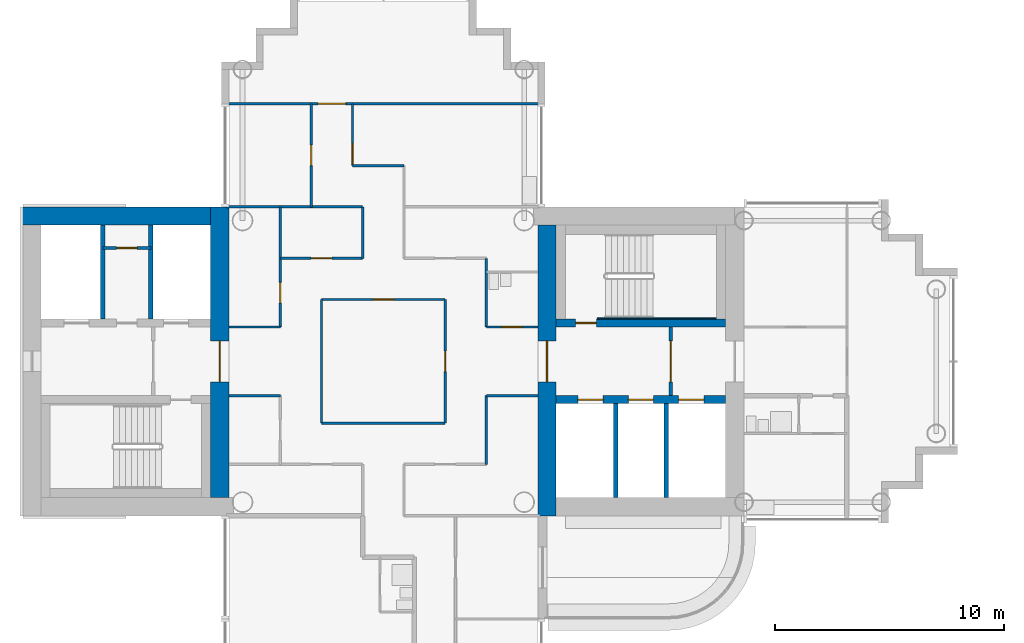
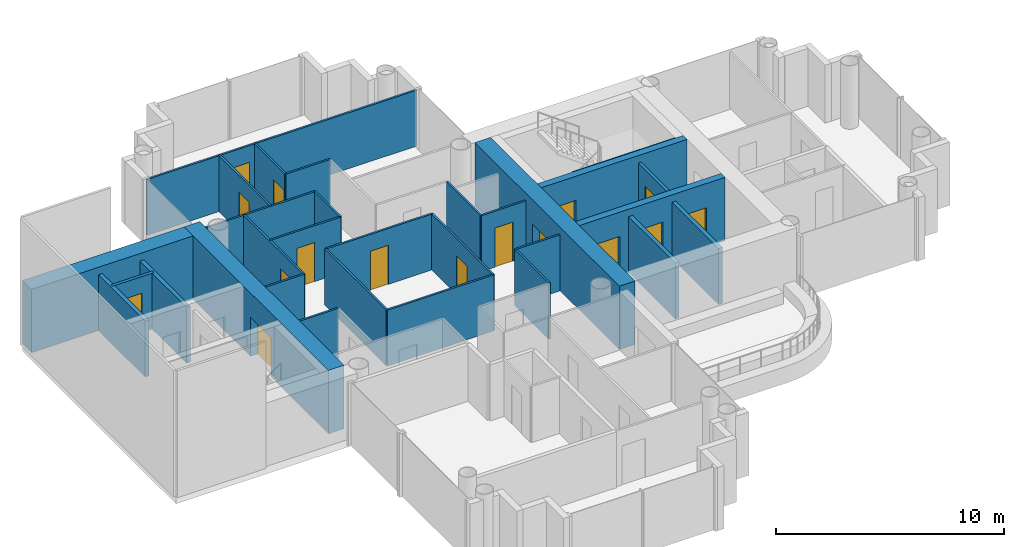
# One storey, part 8 of 20: 30 walls, 16 doors, 16 openings.
"""IFC4 building model written with IfcOpenShell, lengths in metres."""

from ifc_helpers import new_model, si_unit, direction, frame, frame_2d, origin, place, context, subcontext, project, spatial, rectangle, extrude, material, layer, layer_set, type_object, element, fill, save


model = new_model("IFC4")

# Units and contexts
model_context = context("Model", 3, precision=1e-05, world=origin(), true_north=direction((0.0, 1.0)))
body_context = subcontext(model_context, "Body", "Model", "MODEL_VIEW")
ifc_project = project(units=[si_unit("LENGTHUNIT", "METRE"), si_unit("AREAUNIT", "SQUARE_METRE"), si_unit("VOLUMEUNIT", "CUBIC_METRE"), si_unit("PLANEANGLEUNIT", "RADIAN"), si_unit("MASSUNIT", "GRAM", prefix="KILO")], contexts=[model_context])

# Site, building, storey
site_placement = place(None, origin())
site = spatial("IfcSite", under=ifc_project, at=site_placement, CompositionType="ELEMENT")
building_placement = place(site_placement, origin())
building = spatial("IfcBuilding", under=site, at=building_placement, Name="Ipe Terrace Towers", CompositionType="ELEMENT")
storey_placement = place(building_placement, frame((0.0, 0.0, 167.699951171875)))
storey = spatial("IfcBuildingStorey", under=building, at=storey_placement, Name="L46", CompositionType="ELEMENT", Elevation=167.699951171875)

# Wall, opening, door
ifc_material_1 = material(Name="Gypsum board partition", Category="plasterboard")
ifc_layer_1 = layer(ifc_material_1, 0.10009765625)
ifc_layer_set_1 = layer_set([ifc_layer_1], Name="Gypsum board partition 100 mm")
wall_type_1 = type_object("IfcWallType", Name="Gypsum board partition 100 mm", PredefinedType="PARTITIONING", material=ifc_layer_set_1)
wall_1_placement = place(storey_placement, frame((-40.5, 1.5, 0.0), z_axis=(0.0, 0.0, 1.0), x_axis=(0.0, 1.0, 0.0)))
wall_1 = element("IfcWall", 1, at=wall_1_placement, inside=storey, type_object=wall_type_1, Name="Gypsum board partition T1 L46 W02", PredefinedType="PARTITIONING", context=body_context, shape_type="SweptSolid", body=[
    extrude(rectangle(XDim=5.25, YDim=0.10009765625, at=frame_2d((2.625, 0.0))), origin(), (0.0, 0.0, 1.0), 3.0),
])
opening_1_placement = place(wall_1_placement, frame((1.050048828125, 0.0, 0.0)))
opening_1 = element("IfcOpeningElement", 2, at=opening_1_placement, cuts=wall_1, Name="Opening T1-Z3F-06", PredefinedType="OPENING", context=body_context, shape_type="SweptSolid", body=[
    extrude(rectangle(XDim=0.89990234375, YDim=2.10009765625, at=frame_2d((0.449951171875, 1.050048828125))), frame((0.0, 0.06005859375, 0.0), z_axis=(0.0, -1.0, 0.0), x_axis=(1.0, 0.0, 0.0)), (0.0, 0.0, 1.0), 0.1201171875),
])
ifc_material_2 = material(Name="Timber door leaf", Category="wood")
door_type_1 = type_object("IfcDoorType", Name="Lounge door 900 x 2100", OperationType="NOTDEFINED", PredefinedType="DOOR", material=ifc_material_2)
door_1_placement = place(opening_1_placement, origin())
door_1 = element("IfcDoor", 3, at=door_1_placement, inside=storey, type_object=door_type_1, Name="Lounge door T1-Z3F-06", OperationType="SINGLE_SWING_RIGHT", OverallHeight=2.10009765625, OverallWidth=0.89990234375, PredefinedType="DOOR", context=body_context, shape_type="SweptSolid", body=[
    extrude(rectangle(XDim=0.89990234375, YDim=2.10009765625, at=frame_2d((0.449951171875, 1.050048828125))), frame((0.0, 0.02490234375, 0.0), z_axis=(0.0, -1.0, 0.0), x_axis=(1.0, 0.0, 0.0)), (0.0, 0.0, 1.0), 0.050048828125),
])
fill(opening_1, door_1)

wall_2_placement = place(storey_placement, frame((-39.14990234375, 6.75, 0.0), z_axis=(0.0, 0.0, 1.0), x_axis=(0.0, 1.0, 0.0)))
wall_2 = element("IfcWall", 4, at=wall_2_placement, inside=storey, type_object=wall_type_1, Name="Gypsum board partition T1 L46 W03", PredefinedType="PARTITIONING", context=body_context, shape_type="SweptSolid", body=[
    extrude(rectangle(XDim=4.5, YDim=0.10009765625, at=frame_2d((2.25, 0.0))), origin(), (0.0, 0.0, 1.0), 3.0),
])
opening_2_placement = place(wall_2_placement, frame((1.800048828125, 0.0, 0.0)))
opening_2 = element("IfcOpeningElement", 5, at=opening_2_placement, cuts=wall_2, Name="Opening T1-Z3F-10", PredefinedType="OPENING", context=body_context, shape_type="SweptSolid", body=[
    extrude(rectangle(XDim=0.89990234375, YDim=2.10009765625, at=frame_2d((0.449951171875, 1.050048828125))), frame((0.0, 0.06005859375, 0.0), z_axis=(0.0, -1.0, 0.0), x_axis=(1.0, 0.0, 0.0)), (0.0, 0.0, 1.0), 0.1201171875),
])
door_2_placement = place(opening_2_placement, origin())
door_2 = element("IfcDoor", 6, at=door_2_placement, inside=storey, type_object=door_type_1, Name="Lounge door T1-Z3F-10", OperationType="SINGLE_SWING_LEFT", OverallHeight=2.10009765625, OverallWidth=0.89990234375, PredefinedType="DOOR", context=body_context, shape_type="SweptSolid", body=[
    extrude(rectangle(XDim=0.89990234375, YDim=2.10009765625, at=frame_2d((0.449951171875, 1.050048828125))), frame((0.0, 0.02490234375, 0.0), z_axis=(0.0, -1.0, 0.0), x_axis=(1.0, 0.0, 0.0)), (0.0, 0.0, 1.0), 0.050048828125),
])
fill(opening_2, door_2)

# Wall
wall_3_placement = place(storey_placement, frame((-38.699951171875, -2.699951171875, 0.0), z_axis=(0.0, 0.0, 1.0), x_axis=(0.0, 1.0, 0.0)))
element("IfcWall", 7, at=wall_3_placement, inside=storey, type_object=wall_type_1, Name="Gypsum board partition T1 L46 W04", PredefinedType="PARTITIONING", context=body_context, shape_type="SweptSolid", body=[
    extrude(rectangle(XDim=5.39990234375, YDim=0.10009765625, at=frame_2d((2.699951171875, 0.0))), origin(), (0.0, 0.0, 1.0), 3.0),
])

# Wall, opening, door
wall_4_placement = place(storey_placement, frame((-37.35009765625, 8.550048828125, 0.0), z_axis=(0.0, 0.0, 1.0), x_axis=(0.0, 1.0, 0.0)))
wall_4 = element("IfcWall", 8, at=wall_4_placement, inside=storey, type_object=wall_type_1, Name="Gypsum board partition T1 L46 W05", PredefinedType="PARTITIONING", context=body_context, shape_type="SweptSolid", body=[
    extrude(rectangle(XDim=2.699951171875, YDim=0.10009765625, at=frame_2d((1.35009765625, 0.0))), origin(), (0.0, 0.0, 1.0), 3.0),
])
opening_3_placement = place(wall_4_placement, frame((0.070068359375, 0.0, 0.0)))
opening_3 = element("IfcOpeningElement", 9, at=opening_3_placement, cuts=wall_4, Name="Opening T1-Z3F-11", PredefinedType="OPENING", context=body_context, shape_type="SweptSolid", body=[
    extrude(rectangle(XDim=0.89990234375, YDim=2.10009765625, at=frame_2d((0.449951171875, 1.050048828125))), frame((0.0, 0.06005859375, 0.0), z_axis=(0.0, -1.0, 0.0), x_axis=(1.0, 0.0, 0.0)), (0.0, 0.0, 1.0), 0.1201171875),
])
door_3_placement = place(opening_3_placement, origin())
door_3 = element("IfcDoor", 10, at=door_3_placement, inside=storey, type_object=door_type_1, Name="Lounge door T1-Z3F-11", OperationType="SINGLE_SWING_LEFT", OverallHeight=2.10009765625, OverallWidth=0.89990234375, PredefinedType="DOOR", context=body_context, shape_type="SweptSolid", body=[
    extrude(rectangle(XDim=0.89990234375, YDim=2.10009765625, at=frame_2d((0.449951171875, 1.050048828125))), frame((0.0, 0.02490234375, 0.0), z_axis=(0.0, -1.0, 0.0), x_axis=(1.0, 0.0, 0.0)), (0.0, 0.0, 1.0), 0.050048828125),
])
fill(opening_3, door_3)

# Wall
wall_5_placement = place(storey_placement, frame((-36.89990234375, 4.5, 0.0), z_axis=(0.0, 0.0, 1.0), x_axis=(0.0, 1.0, 0.0)))
element("IfcWall", 11, at=wall_5_placement, inside=storey, type_object=wall_type_1, Name="Gypsum board partition T1 L46 W07", PredefinedType="PARTITIONING", context=body_context, shape_type="SweptSolid", body=[
    extrude(rectangle(XDim=2.25, YDim=0.10009765625, at=frame_2d((1.125, 0.0))), origin(), (0.0, 0.0, 1.0), 3.0),
])

# Wall, opening, door
wall_6_placement = place(storey_placement, frame((-33.300048828125, -2.699951171875, 0.0), z_axis=(0.0, 0.0, 1.0), x_axis=(0.0, 1.0, 0.0)))
wall_6 = element("IfcWall", 12, at=wall_6_placement, inside=storey, type_object=wall_type_1, Name="Gypsum board partition T1 L46 W13", PredefinedType="PARTITIONING", context=body_context, shape_type="SweptSolid", body=[
    extrude(rectangle(XDim=5.39990234375, YDim=0.10009765625, at=frame_2d((2.699951171875, 0.0))), origin(), (0.0, 0.0, 1.0), 3.0),
])
opening_4_placement = place(wall_6_placement, frame((2.25, 0.0, 0.0)))
opening_4 = element("IfcOpeningElement", 13, at=opening_4_placement, cuts=wall_6, Name="Opening T1-Z3F-02", PredefinedType="OPENING", context=body_context, shape_type="SweptSolid", body=[
    extrude(rectangle(XDim=0.89990234375, YDim=2.10009765625, at=frame_2d((0.449951171875, 1.050048828125))), frame((0.0, 0.06005859375, 0.0), z_axis=(0.0, -1.0, 0.0), x_axis=(1.0, 0.0, 0.0)), (0.0, 0.0, 1.0), 0.1201171875),
])
door_4_placement = place(opening_4_placement, origin())
door_4 = element("IfcDoor", 14, at=door_4_placement, inside=storey, type_object=door_type_1, Name="Lounge door T1-Z3F-02", OperationType="SINGLE_SWING_LEFT", OverallHeight=2.10009765625, OverallWidth=0.89990234375, PredefinedType="DOOR", context=body_context, shape_type="SweptSolid", body=[
    extrude(rectangle(XDim=0.89990234375, YDim=2.10009765625, at=frame_2d((0.449951171875, 1.050048828125))), frame((0.0, 0.02490234375, 0.0), z_axis=(0.0, -1.0, 0.0), x_axis=(1.0, 0.0, 0.0)), (0.0, 0.0, 1.0), 0.050048828125),
])
fill(opening_4, door_4)

# Walls
for number, where, z_axis, x_axis, name in (
    (15, (-31.5, -4.5, 0.0), (0.0, 0.0, 1.0), (0.0, 1.0, 0.0), "Gypsum board partition T1 L46 W15"),
    (16, (-31.5, 1.5, 0.0), (0.0, 0.0, 1.0), (0.0, 1.0, 0.0), "Gypsum board partition T1 L46 W16"),
):
    element("IfcWall", number, at=place(storey_placement, frame(where, z_axis=z_axis, x_axis=x_axis)), inside=storey, type_object=wall_type_1, Name=name, PredefinedType="PARTITIONING", context=body_context, shape_type="SweptSolid", body=[
        extrude(rectangle(XDim=3.0, YDim=0.10009765625, at=frame_2d((1.5, 0.0))), origin(), (0.0, 0.0, 1.0), 3.0),
    ])
wall_7_placement = place(storey_placement, frame((-38.699951171875, -2.699951171875, 0.0), z_axis=(0.0, 0.0, 1.0), x_axis=(1.0, 0.0, 0.0)))
element("IfcWall", 17, at=wall_7_placement, inside=storey, type_object=wall_type_1, Name="Gypsum board partition T1 L46 W30", PredefinedType="PARTITIONING", context=body_context, shape_type="SweptSolid", body=[
    extrude(rectangle(XDim=5.39990234375, YDim=0.10009765625, at=frame_2d((2.699951171875, 0.0))), origin(), (0.0, 0.0, 1.0), 3.0),
])
for number, where, z_axis, x_axis, name in (
    (18, (-42.75, -1.5, 0.0), (0.0, 0.0, 1.0), (1.0, 0.0, 0.0), "Gypsum board partition T1 L46 W31"),
    (19, (-31.5, -1.5, 0.0), (0.0, 0.0, 1.0), (1.0, 0.0, 0.0), "Gypsum board partition T1 L46 W32"),
    (20, (-42.75, 1.5, 0.0), (0.0, 0.0, 1.0), (1.0, 0.0, 0.0), "Gypsum board partition T1 L46 W34"),
):
    element("IfcWall", number, at=place(storey_placement, frame(where, z_axis=z_axis, x_axis=x_axis)), inside=storey, type_object=wall_type_1, Name=name, PredefinedType="PARTITIONING", context=body_context, shape_type="SweptSolid", body=[
        extrude(rectangle(XDim=2.25, YDim=0.10009765625, at=frame_2d((1.125, 0.0))), origin(), (0.0, 0.0, 1.0), 3.0),
    ])

# Wall, opening, door
wall_8_placement = place(storey_placement, frame((-31.5, 1.5, 0.0), z_axis=(0.0, 0.0, 1.0), x_axis=(1.0, 0.0, 0.0)))
wall_8 = element("IfcWall", 21, at=wall_8_placement, inside=storey, type_object=wall_type_1, Name="Gypsum board partition T1 L46 W35", PredefinedType="PARTITIONING", context=body_context, shape_type="SweptSolid", body=[
    extrude(rectangle(XDim=2.25, YDim=0.10009765625, at=frame_2d((1.125, 0.0))), origin(), (0.0, 0.0, 1.0), 3.0),
])
opening_5_placement = place(wall_8_placement, frame((0.675048828125, 0.0, 0.0)))
opening_5 = element("IfcOpeningElement", 22, at=opening_5_placement, cuts=wall_8, Name="Opening T1-Z3F-03", PredefinedType="OPENING", context=body_context, shape_type="SweptSolid", body=[
    extrude(rectangle(XDim=0.89990234375, YDim=2.10009765625, at=frame_2d((0.449951171875, 1.050048828125))), frame((0.0, 0.06005859375, 0.0), z_axis=(0.0, -1.0, 0.0), x_axis=(1.0, 0.0, 0.0)), (0.0, 0.0, 1.0), 0.1201171875),
])
ifc_material_3 = material(Name="Timber door leaf", Category="wood")
door_type_2 = type_object("IfcDoorType", Name="Bathroom door 900 x 2100", OperationType="NOTDEFINED", PredefinedType="DOOR", material=ifc_material_3)
door_5_placement = place(opening_5_placement, origin())
door_5 = element("IfcDoor", 23, at=door_5_placement, inside=storey, type_object=door_type_2, Name="Bathroom door T1-Z3F-03", OperationType="SINGLE_SWING_LEFT", OverallHeight=2.10009765625, OverallWidth=0.89990234375, PredefinedType="DOOR", context=body_context, shape_type="SweptSolid", body=[
    extrude(rectangle(XDim=0.89990234375, YDim=2.10009765625, at=frame_2d((0.449951171875, 1.050048828125))), frame((0.0, 0.02490234375, 0.0), z_axis=(0.0, -1.0, 0.0), x_axis=(1.0, 0.0, 0.0)), (0.0, 0.0, 1.0), 0.050048828125),
])
fill(opening_5, door_5)

wall_9_placement = place(storey_placement, frame((-38.699951171875, 2.699951171875, 0.0), z_axis=(0.0, 0.0, 1.0), x_axis=(1.0, 0.0, 0.0)))
wall_9 = element("IfcWall", 24, at=wall_9_placement, inside=storey, type_object=wall_type_1, Name="Gypsum board partition T1 L46 W37", PredefinedType="PARTITIONING", context=body_context, shape_type="SweptSolid", body=[
    extrude(rectangle(XDim=5.39990234375, YDim=0.10009765625, at=frame_2d((2.699951171875, 0.0))), origin(), (0.0, 0.0, 1.0), 3.0),
])
opening_6_placement = place(wall_9_placement, frame((2.25, 0.0, 0.0)))
opening_6 = element("IfcOpeningElement", 25, at=opening_6_placement, cuts=wall_9, Name="Opening T1-Z3F-01", PredefinedType="OPENING", context=body_context, shape_type="SweptSolid", body=[
    extrude(rectangle(XDim=0.89990234375, YDim=2.10009765625, at=frame_2d((0.449951171875, 1.050048828125))), frame((0.0, 0.06005859375, 0.0), z_axis=(0.0, -1.0, 0.0), x_axis=(1.0, 0.0, 0.0)), (0.0, 0.0, 1.0), 0.1201171875),
])
door_6_placement = place(opening_6_placement, origin())
door_6 = element("IfcDoor", 26, at=door_6_placement, inside=storey, type_object=door_type_1, Name="Lounge door T1-Z3F-01", OperationType="SINGLE_SWING_RIGHT", OverallHeight=2.10009765625, OverallWidth=0.89990234375, PredefinedType="DOOR", context=body_context, shape_type="SweptSolid", body=[
    extrude(rectangle(XDim=0.89990234375, YDim=2.10009765625, at=frame_2d((0.449951171875, 1.050048828125))), frame((0.0, 0.02490234375, 0.0), z_axis=(0.0, -1.0, 0.0), x_axis=(1.0, 0.0, 0.0)), (0.0, 0.0, 1.0), 0.050048828125),
])
fill(opening_6, door_6)

wall_10_placement = place(storey_placement, frame((-40.5, 4.5, 0.0), z_axis=(0.0, 0.0, 1.0), x_axis=(1.0, 0.0, 0.0)))
wall_10 = element("IfcWall", 27, at=wall_10_placement, inside=storey, type_object=wall_type_1, Name="Gypsum board partition T1 L46 W39", PredefinedType="PARTITIONING", context=body_context, shape_type="SweptSolid", body=[
    extrude(rectangle(XDim=3.60009765625, YDim=0.10009765625, at=frame_2d((1.800048828125, 0.0))), origin(), (0.0, 0.0, 1.0), 3.0),
])
opening_7_placement = place(wall_10_placement, frame((1.35009765625, 0.0, 0.0)))
opening_7 = element("IfcOpeningElement", 28, at=opening_7_placement, cuts=wall_10, Name="Opening T1-Z3F-05", PredefinedType="OPENING", context=body_context, shape_type="SweptSolid", body=[
    extrude(rectangle(XDim=0.89990234375, YDim=2.10009765625, at=frame_2d((0.449951171875, 1.050048828125))), frame((0.0, 0.06005859375, 0.0), z_axis=(0.0, -1.0, 0.0), x_axis=(1.0, 0.0, 0.0)), (0.0, 0.0, 1.0), 0.1201171875),
])
door_7_placement = place(opening_7_placement, origin())
door_7 = element("IfcDoor", 29, at=door_7_placement, inside=storey, type_object=door_type_1, Name="Lounge door T1-Z3F-05", OperationType="SINGLE_SWING_RIGHT", OverallHeight=2.10009765625, OverallWidth=0.89990234375, PredefinedType="DOOR", context=body_context, shape_type="SweptSolid", body=[
    extrude(rectangle(XDim=0.89990234375, YDim=2.10009765625, at=frame_2d((0.449951171875, 1.050048828125))), frame((0.0, 0.02490234375, 0.0), z_axis=(0.0, -1.0, 0.0), x_axis=(1.0, 0.0, 0.0)), (0.0, 0.0, 1.0), 0.050048828125),
])
fill(opening_7, door_7)

# Walls
wall_11_placement = place(storey_placement, frame((-42.85009765625, 6.75, 0.0), z_axis=(0.0, 0.0, 1.0), x_axis=(1.0, 0.0, 0.0)))
element("IfcWall", 30, at=wall_11_placement, inside=storey, type_object=wall_type_1, Name="Gypsum board partition T1 L46 W41", PredefinedType="PARTITIONING", context=body_context, shape_type="SweptSolid", body=[
    extrude(rectangle(XDim=5.9501953125, YDim=0.10009765625, at=frame_2d((2.97509765625, 0.0))), origin(), (0.0, 0.0, 1.0), 3.0),
])
wall_12_placement = place(storey_placement, frame((-37.35009765625, 8.550048828125, 0.0), z_axis=(0.0, 0.0, 1.0), x_axis=(1.0, 0.0, 0.0)))
element("IfcWall", 31, at=wall_12_placement, inside=storey, type_object=wall_type_1, Name="Gypsum board partition T1 L46 W43", PredefinedType="PARTITIONING", context=body_context, shape_type="SweptSolid", body=[
    extrude(rectangle(XDim=2.25, YDim=0.10009765625, at=frame_2d((1.125, 0.0))), origin(), (0.0, 0.0, 1.0), 3.0),
])

# Wall, opening, door
wall_13_placement = place(storey_placement, frame((-42.85009765625, 11.25, 0.0), z_axis=(0.0, 0.0, 1.0), x_axis=(1.0, 0.0, 0.0)))
wall_13 = element("IfcWall", 32, at=wall_13_placement, inside=storey, type_object=wall_type_1, Name="Gypsum board partition T1 L46 W44", PredefinedType="PARTITIONING", context=body_context, shape_type="SweptSolid", body=[
    extrude(rectangle(XDim=13.7001953125, YDim=0.10009765625, at=frame_2d((6.85009765625, 0.0))), origin(), (0.0, 0.0, 1.0), 3.0),
])
opening_8_placement = place(wall_13_placement, frame((4.0, 0.0, 0.0)))
opening_8 = element("IfcOpeningElement", 33, at=opening_8_placement, cuts=wall_13, Name="Opening T1-Z3F-12", PredefinedType="OPENING", context=body_context, shape_type="SweptSolid", body=[
    extrude(rectangle(XDim=1.199951171875, YDim=2.10009765625, at=frame_2d((0.60009765625, 1.050048828125))), frame((0.0, 0.06005859375, 0.0), z_axis=(0.0, -1.0, 0.0), x_axis=(1.0, 0.0, 0.0)), (0.0, 0.0, 1.0), 0.1201171875),
])
ifc_material_4 = material(Name="Timber door leaf", Category="wood")
door_type_3 = type_object("IfcDoorType", Name="Lounge door 1200 x 2100", OperationType="NOTDEFINED", PredefinedType="DOOR", material=ifc_material_4)
door_8_placement = place(opening_8_placement, origin())
door_8 = element("IfcDoor", 34, at=door_8_placement, inside=storey, type_object=door_type_3, Name="Lounge door T1-Z3F-12", OperationType="SINGLE_SWING_RIGHT", OverallHeight=2.10009765625, OverallWidth=1.199951171875, PredefinedType="DOOR", context=body_context, shape_type="SweptSolid", body=[
    extrude(rectangle(XDim=1.199951171875, YDim=2.10009765625, at=frame_2d((0.60009765625, 1.050048828125))), frame((0.0, 0.02490234375, 0.0), z_axis=(0.0, -1.0, 0.0), x_axis=(1.0, 0.0, 0.0)), (0.0, 0.0, 1.0), 0.050048828125),
])
fill(opening_8, door_8)

ifc_material_5 = material(Name="Gypsum board partition", Category="plasterboard")
ifc_layer_2 = layer(ifc_material_5, 0.14990234375)
ifc_layer_set_2 = layer_set([ifc_layer_2], Name="Gypsum board partition 150 mm")
wall_type_2 = type_object("IfcWallType", Name="Gypsum board partition 150 mm", PredefinedType="PARTITIONING", material=ifc_layer_set_2)
wall_14_placement = place(storey_placement, frame((-23.449951171875, -1.5, 0.0), z_axis=(0.0, 0.0, 1.0), x_axis=(0.0, 1.0, 0.0)))
wall_14 = element("IfcWall", 35, at=wall_14_placement, inside=storey, type_object=wall_type_2, Name="Gypsum board partition T1 L46 t1c1-lobby-wall", PredefinedType="PARTITIONING", context=body_context, shape_type="SweptSolid", body=[
    extrude(rectangle(XDim=3.0, YDim=0.14990234375, at=frame_2d((1.5, 0.0))), origin(), (0.0, 0.0, 1.0), 3.0),
])
opening_9_placement = place(wall_14_placement, frame((0.60009765625, 0.0, 0.0)))
opening_9 = element("IfcOpeningElement", 36, at=opening_9_placement, cuts=wall_14, Name="Opening T1C1-VD", PredefinedType="OPENING", context=body_context, shape_type="SweptSolid", body=[
    extrude(rectangle(XDim=1.800048828125, YDim=2.10009765625, at=frame_2d((0.89990234375, 1.050048828125))), frame((0.0, 0.0849609375, 0.0), z_axis=(0.0, -1.0, 0.0), x_axis=(1.0, 0.0, 0.0)), (0.0, 0.0, 1.0), 0.169921875),
])
ifc_material_6 = material(Name="Fire-rated timber door leaf", Category="wood")
door_type_4 = type_object("IfcDoorType", Name="Lobby door 1800 x 2100 FD60", OperationType="NOTDEFINED", PredefinedType="DOOR", material=ifc_material_6)
door_9_placement = place(opening_9_placement, origin())
door_9 = element("IfcDoor", 37, at=door_9_placement, inside=storey, type_object=door_type_4, Name="Lobby door T1C1-VD", OperationType="SINGLE_SWING_LEFT", OverallHeight=2.10009765625, OverallWidth=1.800048828125, PredefinedType="DOOR", context=body_context, shape_type="SweptSolid", body=[
    extrude(rectangle(XDim=1.800048828125, YDim=2.10009765625, at=frame_2d((0.89990234375, 1.050048828125))), frame((0.0, 0.02490234375, 0.0), z_axis=(0.0, -1.0, 0.0), x_axis=(1.0, 0.0, 0.0)), (0.0, 0.0, 1.0), 0.050048828125),
])
fill(opening_9, door_9)

wall_15_placement = place(storey_placement, frame((-46.14990234375, 4.949951171875, 0.0), z_axis=(0.0, 0.0, 1.0), x_axis=(-1.0, 0.0, 0.0)))
wall_15 = element("IfcWall", 38, at=wall_15_placement, inside=storey, type_object=wall_type_2, Name="Gypsum board partition T1 L46 t1c2-q-back", PredefinedType="PARTITIONING", context=body_context, shape_type="SweptSolid", body=[
    extrude(rectangle(XDim=2.10009765625, YDim=0.14990234375, at=frame_2d((1.050048828125, 0.0))), origin(), (0.0, 0.0, 1.0), 3.0),
])
opening_10_placement = place(wall_15_placement, frame((0.60009765625, 0.0, 0.0)))
opening_10 = element("IfcOpeningElement", 39, at=opening_10_placement, cuts=wall_15, Name="Opening T1C2-RB", PredefinedType="OPENING", context=body_context, shape_type="SweptSolid", body=[
    extrude(rectangle(XDim=0.89990234375, YDim=2.10009765625, at=frame_2d((0.449951171875, 1.050048828125))), frame((0.0, 0.0849609375, 0.0), z_axis=(0.0, -1.0, 0.0), x_axis=(1.0, 0.0, 0.0)), (0.0, 0.0, 1.0), 0.169921875),
])
ifc_material_7 = material(Name="Fire-rated timber door leaf", Category="wood")
door_type_5 = type_object("IfcDoorType", Name="Service door 900 x 2100 FD60", OperationType="NOTDEFINED", PredefinedType="DOOR", material=ifc_material_7)
door_10_placement = place(opening_10_placement, origin())
door_10 = element("IfcDoor", 40, at=door_10_placement, inside=storey, type_object=door_type_5, Name="Service door T1C2-RB", OperationType="SINGLE_SWING_LEFT", OverallHeight=2.10009765625, OverallWidth=0.89990234375, PredefinedType="DOOR", context=body_context, shape_type="SweptSolid", body=[
    extrude(rectangle(XDim=0.89990234375, YDim=2.10009765625, at=frame_2d((0.449951171875, 1.050048828125))), frame((0.0, 0.02490234375, 0.0), z_axis=(0.0, -1.0, 0.0), x_axis=(1.0, 0.0, 0.0)), (0.0, 0.0, 1.0), 0.050048828125),
])
fill(opening_10, door_10)

# Walls
ifc_material_8 = material(Name="Gypsum board party wall", Category="plasterboard")
ifc_layer_3 = layer(ifc_material_8, 0.199951171875)
ifc_layer_set_3 = layer_set([ifc_layer_3], Name="Gypsum board party wall 200 mm")
wall_type_3 = type_object("IfcWallType", Name="Gypsum board party wall 200 mm", PredefinedType="SOLIDWALL", material=ifc_layer_set_3)
for number, where, z_axis, x_axis, name in (
    (41, (-25.85009765625, -5.949951171875, 0.0), (0.0, 0.0, 1.0), (0.0, 1.0, 0.0), "Gypsum board party wall T1 L46 t1c1-shaft-div1"),
    (42, (-23.64990234375, -5.949951171875, 0.0), (0.0, 0.0, 1.0), (0.0, 1.0, 0.0), "Gypsum board party wall T1 L46 t1c1-shaft-div2"),
    (43, (-48.25, 5.949951171875, 0.0), (0.0, 0.0, 1.0), (0.0, -1.0, 0.0), "Gypsum board party wall T1 L46 t1c2-shaft-div2"),
    (44, (-46.14990234375, 5.949951171875, 0.0), (0.0, 0.0, 1.0), (0.0, -1.0, 0.0), "Gypsum board party wall T1 L46 t1c2-shaft-div1"),
):
    element("IfcWall", number, at=place(storey_placement, frame(where, z_axis=z_axis, x_axis=x_axis)), inside=storey, type_object=wall_type_3, Name=name, PredefinedType="SOLIDWALL", context=body_context, shape_type="SweptSolid", body=[
        extrude(rectangle(XDim=4.099853515625, YDim=0.199951171875, at=frame_2d((2.0498046875, 0.0))), origin(), (0.0, 0.0, 1.0), 3.0),
    ])

# Wall, openings, doors
ifc_material_9 = material(Name="Concrete C50/60", Category="concrete")
ifc_layer_4 = layer(ifc_material_9, 0.35009765625)
ifc_layer_set_4 = layer_set([ifc_layer_4], Name="RW350 CORE SPINE WALL 350 C50-60")
wall_type_4 = type_object("IfcWallType", Name="RW350 CORE SPINE WALL 350 C50-60", PredefinedType="SHEAR", material=ifc_layer_set_4)
wall_16_placement = place(storey_placement, frame((-28.449951171875, -1.675048828125, 0.0), z_axis=(0.0, 0.0, 1.0), x_axis=(1.0, 0.0, 0.0)))
wall_16 = element("IfcWall", 45, at=wall_16_placement, inside=storey, type_object=wall_type_4, Name="Core spine wall T1-C1-Z3-SW1", PredefinedType="SHEAR", context=body_context, shape_type="SweptSolid", body=[
    extrude(rectangle(XDim=7.39990234375, YDim=0.35009765625, at=frame_2d((3.699951171875, 0.0))), origin(), (0.0, 0.0, 1.0), 3.400146484375),
])
opening_11_placement = place(wall_16_placement, frame((0.949951171875, 0.0, 0.0)))
opening_11 = element("IfcOpeningElement", 46, at=opening_11_placement, cuts=wall_16, Name="Opening T1C1-LD1", PredefinedType="OPENING", context=body_context, shape_type="SweptSolid", body=[
    extrude(rectangle(XDim=1.10009765625, YDim=2.10009765625, at=frame_2d((0.550048828125, 1.050048828125))), frame((0.0, 0.18505859375, 0.0), z_axis=(0.0, -1.0, 0.0), x_axis=(1.0, 0.0, 0.0)), (0.0, 0.0, 1.0), 0.3701171875),
])
opening_12_placement = place(wall_16_placement, frame((3.14990234375, 0.0, 0.0)))
opening_12 = element("IfcOpeningElement", 47, at=opening_12_placement, cuts=wall_16, Name="Opening T1C1-LD2", PredefinedType="OPENING", context=body_context, shape_type="SweptSolid", body=[
    extrude(rectangle(XDim=1.10009765625, YDim=2.10009765625, at=frame_2d((0.550048828125, 1.050048828125))), frame((0.0, 0.18505859375, 0.0), z_axis=(0.0, -1.0, 0.0), x_axis=(1.0, 0.0, 0.0)), (0.0, 0.0, 1.0), 0.3701171875),
])
opening_13_placement = place(wall_16_placement, frame((5.35009765625, 0.0, 0.0)))
opening_13 = element("IfcOpeningElement", 48, at=opening_13_placement, cuts=wall_16, Name="Opening T1C1-LD3", PredefinedType="OPENING", context=body_context, shape_type="SweptSolid", body=[
    extrude(rectangle(XDim=1.10009765625, YDim=2.10009765625, at=frame_2d((0.550048828125, 1.050048828125))), frame((0.0, 0.18505859375, 0.0), z_axis=(0.0, -1.0, 0.0), x_axis=(1.0, 0.0, 0.0)), (0.0, 0.0, 1.0), 0.3701171875),
])
ifc_material_10 = material(Name="Fire-rated timber door leaf", Category="wood")
door_type_6 = type_object("IfcDoorType", Name="Sliding door 1100 x 2100 FD60", OperationType="SLIDING_TO_LEFT", PredefinedType="DOOR", material=ifc_material_10)
door_11_placement = place(opening_11_placement, origin())
door_11 = element("IfcDoor", 49, at=door_11_placement, inside=storey, type_object=door_type_6, Name="Sliding door T1C1-LD1", OperationType="SLIDING_TO_LEFT", OverallHeight=2.10009765625, OverallWidth=1.10009765625, PredefinedType="DOOR", context=body_context, shape_type="SweptSolid", body=[
    extrude(rectangle(XDim=1.10009765625, YDim=2.10009765625, at=frame_2d((0.550048828125, 1.050048828125))), frame((0.0, 0.02490234375, 0.0), z_axis=(0.0, -1.0, 0.0), x_axis=(1.0, 0.0, 0.0)), (0.0, 0.0, 1.0), 0.050048828125),
])
fill(opening_11, door_11)
door_12_placement = place(opening_12_placement, origin())
door_12 = element("IfcDoor", 50, at=door_12_placement, inside=storey, type_object=door_type_6, Name="Sliding door T1C1-LD2", OperationType="SLIDING_TO_LEFT", OverallHeight=2.10009765625, OverallWidth=1.10009765625, PredefinedType="DOOR", context=body_context, shape_type="SweptSolid", body=[
    extrude(rectangle(XDim=1.10009765625, YDim=2.10009765625, at=frame_2d((0.550048828125, 1.050048828125))), frame((0.0, 0.02490234375, 0.0), z_axis=(0.0, -1.0, 0.0), x_axis=(1.0, 0.0, 0.0)), (0.0, 0.0, 1.0), 0.050048828125),
])
fill(opening_12, door_12)
door_13_placement = place(opening_13_placement, origin())
door_13 = element("IfcDoor", 51, at=door_13_placement, inside=storey, type_object=door_type_6, Name="Sliding door T1C1-LD3", OperationType="SLIDING_TO_LEFT", OverallHeight=2.10009765625, OverallWidth=1.10009765625, PredefinedType="DOOR", context=body_context, shape_type="SweptSolid", body=[
    extrude(rectangle(XDim=1.10009765625, YDim=2.10009765625, at=frame_2d((0.550048828125, 1.050048828125))), frame((0.0, 0.02490234375, 0.0), z_axis=(0.0, -1.0, 0.0), x_axis=(1.0, 0.0, 0.0)), (0.0, 0.0, 1.0), 0.050048828125),
])
fill(opening_13, door_13)

# Wall, opening, door
wall_17_placement = place(storey_placement, frame((-28.449951171875, 1.675048828125, 0.0), z_axis=(0.0, 0.0, 1.0), x_axis=(1.0, 0.0, 0.0)))
wall_17 = element("IfcWall", 52, at=wall_17_placement, inside=storey, type_object=wall_type_4, Name="Core spine wall T1-C1-Z3-SW2", PredefinedType="SHEAR", context=body_context, shape_type="SweptSolid", body=[
    extrude(rectangle(XDim=7.39990234375, YDim=0.35009765625, at=frame_2d((3.699951171875, 0.0))), origin(), (0.0, 0.0, 1.0), 3.400146484375),
])
opening_14_placement = place(wall_17_placement, frame((0.85009765625, 0.0, 0.0)))
opening_14 = element("IfcOpeningElement", 53, at=opening_14_placement, cuts=wall_17, Name="Opening T1C1-SD", PredefinedType="OPENING", context=body_context, shape_type="SweptSolid", body=[
    extrude(rectangle(XDim=0.89990234375, YDim=2.10009765625, at=frame_2d((0.449951171875, 1.050048828125))), frame((0.0, 0.18505859375, 0.0), z_axis=(0.0, -1.0, 0.0), x_axis=(1.0, 0.0, 0.0)), (0.0, 0.0, 1.0), 0.3701171875),
])
ifc_material_11 = material(Name="Fire-rated timber door leaf", Category="wood")
door_type_7 = type_object("IfcDoorType", Name="Stair door 900 x 2100 FD60", OperationType="NOTDEFINED", PredefinedType="DOOR", material=ifc_material_11)
door_14_placement = place(opening_14_placement, origin())
door_14 = element("IfcDoor", 54, at=door_14_placement, inside=storey, type_object=door_type_7, Name="Stair door T1C1-SD", OperationType="SINGLE_SWING_LEFT", OverallHeight=2.10009765625, OverallWidth=0.89990234375, PredefinedType="DOOR", context=body_context, shape_type="SweptSolid", body=[
    extrude(rectangle(XDim=0.89990234375, YDim=2.10009765625, at=frame_2d((0.449951171875, 1.050048828125))), frame((0.0, 0.02490234375, 0.0), z_axis=(0.0, -1.0, 0.0), x_axis=(1.0, 0.0, 0.0)), (0.0, 0.0, 1.0), 0.050048828125),
])
fill(opening_14, door_14)

# Wall
ifc_material_12 = material(Name="Concrete C50/60", Category="concrete")
ifc_layer_5 = layer(ifc_material_12, 0.050048828125)
ifc_layer_set_5 = layer_set([ifc_layer_5], Name="RW50 CORE INFILL WALL 50 C50-60")
wall_type_5 = type_object("IfcWallType", Name="RW50 CORE INFILL WALL 50 C50-60", PredefinedType="SHEAR", material=ifc_layer_set_5)
wall_18_placement = place(storey_placement, frame((-26.64990234375, 1.875, 0.0), z_axis=(0.0, 0.0, 1.0), x_axis=(1.0, 0.0, 0.0)))
element("IfcWall", 55, at=wall_18_placement, inside=storey, type_object=wall_type_5, Name="Core infill wall T1-C1-spine-b", PredefinedType="SHEAR", context=body_context, shape_type="SweptSolid", body=[
    extrude(rectangle(XDim=5.199951171875, YDim=0.050048828125, at=frame_2d((2.60009765625, 0.0))), origin(), (0.0, 0.0, 1.0), 3.400146484375),
])

# Wall, opening, door
ifc_material_13 = material(Name="Concrete C50/60", Category="concrete")
ifc_layer_6 = layer(ifc_material_13, 0.800048828125)
ifc_layer_set_6 = layer_set([ifc_layer_6], Name="RW800 CORE WALL 800 C50-60")
wall_type_6 = type_object("IfcWallType", Name="RW800 CORE WALL 800 C50-60", PredefinedType="SHEAR", material=ifc_layer_set_6)
wall_19_placement = place(storey_placement, frame((-28.85009765625, 5.949951171875, 0.0), z_axis=(0.0, 0.0, 1.0), x_axis=(0.0, -1.0, 0.0)))
wall_19 = element("IfcWall", 56, at=wall_19_placement, inside=storey, type_object=wall_type_6, Name="Core wall T1-C1-Z3-W04", PredefinedType="SHEAR", context=body_context, shape_type="SweptSolid", body=[
    extrude(rectangle(XDim=12.699951171875, YDim=0.800048828125, at=frame_2d((6.35009765625, 0.0))), origin(), (0.0, 0.0, 1.0), 3.400146484375),
])
opening_15_placement = place(wall_19_placement, frame((5.050048828125, 0.0, 0.0)))
opening_15 = element("IfcOpeningElement", 57, at=opening_15_placement, cuts=wall_19, Name="Opening T1C1-ND", PredefinedType="OPENING", context=body_context, shape_type="SweptSolid", body=[
    extrude(rectangle(XDim=1.800048828125, YDim=2.10009765625, at=frame_2d((0.89990234375, 1.050048828125))), frame((0.0, 0.41015625, 0.0), z_axis=(0.0, -1.0, 0.0), x_axis=(1.0, 0.0, 0.0)), (0.0, 0.0, 1.0), 0.820068359375),
])
ifc_material_14 = material(Name="Fire-rated timber door leaf", Category="wood")
door_type_8 = type_object("IfcDoorType", Name="Fire door 1800 x 2100 FD30S", OperationType="NOTDEFINED", PredefinedType="DOOR", material=ifc_material_14)
door_15_placement = place(opening_15_placement, origin())
door_15 = element("IfcDoor", 58, at=door_15_placement, inside=storey, type_object=door_type_8, Name="Fire door T1C1-ND", OperationType="SINGLE_SWING_LEFT", OverallHeight=2.10009765625, OverallWidth=1.800048828125, PredefinedType="DOOR", context=body_context, shape_type="SweptSolid", body=[
    extrude(rectangle(XDim=1.800048828125, YDim=2.10009765625, at=frame_2d((0.89990234375, 1.050048828125))), frame((0.0, 0.02490234375, 0.0), z_axis=(0.0, -1.0, 0.0), x_axis=(1.0, 0.0, 0.0)), (0.0, 0.0, 1.0), 0.050048828125),
])
fill(opening_15, door_15)

wall_20_placement = place(storey_placement, frame((-43.14990234375, -5.949951171875, 0.0), z_axis=(0.0, 0.0, 1.0), x_axis=(0.0, 1.0, 0.0)))
wall_20 = element("IfcWall", 59, at=wall_20_placement, inside=storey, type_object=wall_type_6, Name="Core wall T1-C2-Z3-W02", PredefinedType="SHEAR", context=body_context, shape_type="SweptSolid", body=[
    extrude(rectangle(XDim=12.699951171875, YDim=0.800048828125, at=frame_2d((6.35009765625, 0.0))), origin(), (0.0, 0.0, 1.0), 3.400146484375),
])
opening_16_placement = place(wall_20_placement, frame((5.050048828125, 0.0, 0.0)))
opening_16 = element("IfcOpeningElement", 60, at=opening_16_placement, cuts=wall_20, Name="Opening T1C2-ND", PredefinedType="OPENING", context=body_context, shape_type="SweptSolid", body=[
    extrude(rectangle(XDim=1.800048828125, YDim=2.10009765625, at=frame_2d((0.89990234375, 1.050048828125))), frame((0.0, 0.41015625, 0.0), z_axis=(0.0, -1.0, 0.0), x_axis=(1.0, 0.0, 0.0)), (0.0, 0.0, 1.0), 0.820068359375),
])
door_16_placement = place(opening_16_placement, origin())
door_16 = element("IfcDoor", 61, at=door_16_placement, inside=storey, type_object=door_type_8, Name="Fire door T1C2-ND", OperationType="SINGLE_SWING_LEFT", OverallHeight=2.10009765625, OverallWidth=1.800048828125, PredefinedType="DOOR", context=body_context, shape_type="SweptSolid", body=[
    extrude(rectangle(XDim=1.800048828125, YDim=2.10009765625, at=frame_2d((0.89990234375, 1.050048828125))), frame((0.0, 0.02490234375, 0.0), z_axis=(0.0, -1.0, 0.0), x_axis=(1.0, 0.0, 0.0)), (0.0, 0.0, 1.0), 0.050048828125),
])
fill(opening_16, door_16)

# Wall
wall_21_placement = place(storey_placement, frame((-43.550048828125, 6.35009765625, 0.0), z_axis=(0.0, 0.0, 1.0), x_axis=(-1.0, 0.0, 0.0)))
element("IfcWall", 62, at=wall_21_placement, inside=storey, type_object=wall_type_6, Name="Core wall T1-C2-Z3-W03", PredefinedType="SHEAR", context=body_context, shape_type="SweptSolid", body=[
    extrude(rectangle(XDim=8.199951171875, YDim=0.800048828125, at=frame_2d((4.10009765625, 0.0))), origin(), (0.0, 0.0, 1.0), 3.400146484375),
])

save(model, "model.ifc")
